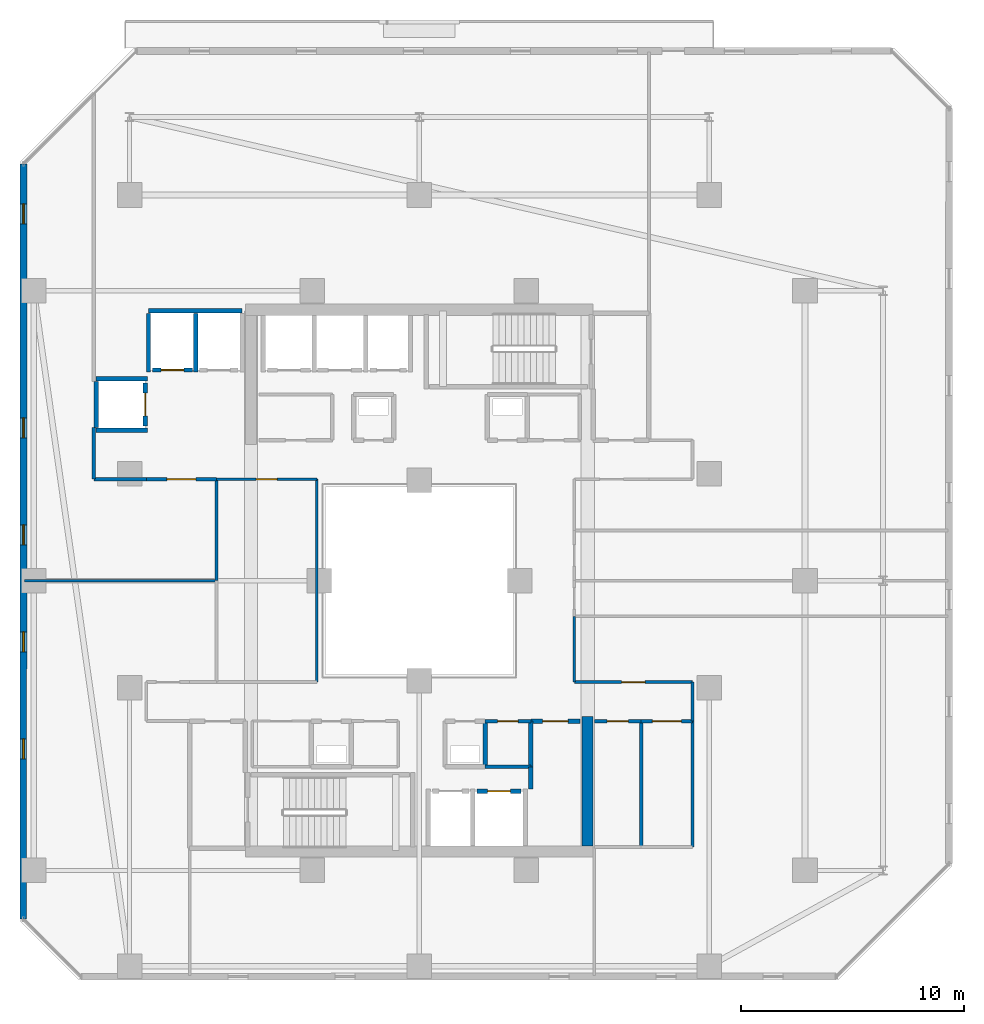
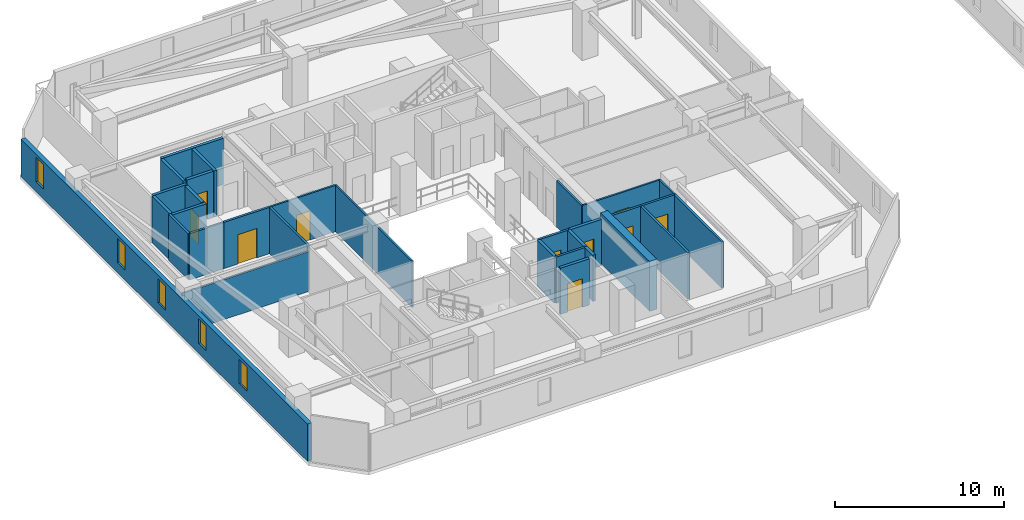
# One storey, part 20 of 33: 31 walls, 10 doors, 5 windows, 15 openings.
"""IFC4 building model written with IfcOpenShell, lengths in metres."""

from ifc_helpers import new_model, si_unit, direction, frame, frame_2d, origin, place, context, subcontext, project, spatial, rectangle, extrude, material, layer, layer_set, type_object, element, fill, save


model = new_model("IFC4")

# Units and contexts
model_context = context("Model", 3, precision=1e-05, world=origin(), true_north=direction((0.0, 1.0)))
body_context = subcontext(model_context, "Body", "Model", "MODEL_VIEW")
ifc_project = project(units=[si_unit("LENGTHUNIT", "METRE"), si_unit("AREAUNIT", "SQUARE_METRE"), si_unit("VOLUMEUNIT", "CUBIC_METRE"), si_unit("PLANEANGLEUNIT", "RADIAN"), si_unit("MASSUNIT", "GRAM", prefix="KILO")], contexts=[model_context])

# Site, building, storey
site_placement = place(None, origin())
site = spatial("IfcSite", under=ifc_project, at=site_placement, CompositionType="ELEMENT")
building_placement = place(site_placement, origin())
building = spatial("IfcBuilding", under=site, at=building_placement, Name="Thornwick Lancets Civic Towers", CompositionType="ELEMENT")
storey_placement = place(building_placement, frame((0.0, 0.0, 189.300048828125)))
storey = spatial("IfcBuildingStorey", under=building, at=storey_placement, Name="L50", CompositionType="ELEMENT", Elevation=189.300048828125)

# Wall, opening, door
ifc_material_1 = material(Name="Concrete blockwork C40/50", Category="masonry")
ifc_layer_1 = layer(ifc_material_1, 0.199951171875, Name="Concrete blockwork C40/50")
ifc_layer_set_1 = layer_set([ifc_layer_1], Name="Concrete blockwork C40/50")
wall_type_1 = type_object("IfcWallType", Name="WALL_COMP_200", PredefinedType="STANDARD", material=ifc_layer_set_1)
wall_1_placement = place(storey_placement, frame((28.080078125, 17.550048828125, 0.0), z_axis=(0.0, 0.0, 1.0), x_axis=(1.0, 0.0, 0.0)))
wall_1 = element("IfcWall", 1, at=wall_1_placement, inside=storey, type_object=wall_type_1, Name="L50 Hoistway Front Wall PL-AH1", PredefinedType="STANDARD", context=body_context, shape_type="SweptSolid", body=[
    extrude(rectangle(XDim=1.989990234375, YDim=0.199951171875, at=frame_2d((0.9951171875, 0.0))), origin(), (0.0, 0.0, 1.0), 3.33984375),
])
opening_1_placement = place(wall_1_placement, frame((0.485107421875, 0.0, 0.0)))
opening_1 = element("IfcOpeningElement", 2, at=opening_1_placement, cuts=wall_1, Name="Opening LD-PL-AH1", PredefinedType="OPENING", context=body_context, shape_type="SweptSolid", body=[
    extrude(rectangle(XDim=1.02001953125, YDim=2.06005859375, at=frame_2d((0.510009765625, 1.030029296875))), frame((0.0, 0.10986328125, 0.0), z_axis=(0.0, -1.0, 0.0), x_axis=(1.0, 0.0, 0.0)), (0.0, 0.0, 1.0), 0.219970703125),
])
ifc_material_2 = material(Name="Brushed bronze stainless steel", Category="steel")
door_type_1 = type_object("IfcDoorType", Name="DOOR_LIFT_SLIDE", OperationType="SLIDING_TO_LEFT", PredefinedType="DOOR", material=ifc_material_2)
door_1_placement = place(opening_1_placement, origin())
door_1 = element("IfcDoor", 3, at=door_1_placement, inside=storey, type_object=door_type_1, Name="L50 Sliding Lift Landing Door LD-PL-AH1", OperationType="SLIDING_TO_LEFT", OverallHeight=2.06005859375, OverallWidth=1.02001953125, PredefinedType="DOOR", context=body_context, shape_type="SweptSolid", body=[
    extrude(rectangle(XDim=1.02001953125, YDim=2.06005859375, at=frame_2d((0.510009765625, 1.030029296875))), frame((0.0, 0.02490234375, 0.0), z_axis=(0.0, -1.0, 0.0), x_axis=(1.0, 0.0, 0.0)), (0.0, 0.0, 1.0), 0.050048828125),
])
fill(opening_1, door_1)

wall_2_placement = place(storey_placement, frame((15.320068359375, 36.449951171875, 0.0), z_axis=(0.0, 0.0, 1.0), x_axis=(-1.0, 0.0, 0.0)))
wall_2 = element("IfcWall", 4, at=wall_2_placement, inside=storey, type_object=wall_type_1, Name="L50 Hoistway Front Wall PL-AM2", PredefinedType="STANDARD", context=body_context, shape_type="SweptSolid", body=[
    extrude(rectangle(XDim=1.7900390625, YDim=0.199951171875, at=frame_2d((0.89501953125, 0.0))), origin(), (0.0, 0.0, 1.0), 3.33984375),
])
opening_2_placement = place(wall_2_placement, frame((0.385009765625, 0.0, 0.0)))
opening_2 = element("IfcOpeningElement", 5, at=opening_2_placement, cuts=wall_2, Name="Opening LD-PL-AM2", PredefinedType="OPENING", context=body_context, shape_type="SweptSolid", body=[
    extrude(rectangle(XDim=1.02001953125, YDim=2.06005859375, at=frame_2d((0.510009765625, 1.030029296875))), frame((0.0, 0.10986328125, 0.0), z_axis=(0.0, -1.0, 0.0), x_axis=(1.0, 0.0, 0.0)), (0.0, 0.0, 1.0), 0.219970703125),
])
door_2_placement = place(opening_2_placement, origin())
door_2 = element("IfcDoor", 6, at=door_2_placement, inside=storey, type_object=door_type_1, Name="L50 Sliding Lift Landing Door LD-PL-AM2", OperationType="SLIDING_TO_LEFT", OverallHeight=2.06005859375, OverallWidth=1.02001953125, PredefinedType="DOOR", context=body_context, shape_type="SweptSolid", body=[
    extrude(rectangle(XDim=1.02001953125, YDim=2.06005859375, at=frame_2d((0.510009765625, 1.030029296875))), frame((0.0, 0.02490234375, 0.0), z_axis=(0.0, -1.0, 0.0), x_axis=(1.0, 0.0, 0.0)), (0.0, 0.0, 1.0), 0.050048828125),
])
fill(opening_2, door_2)

wall_3_placement = place(storey_placement, frame((13.199951171875, 33.929931640625, 0.0), z_axis=(0.0, 0.0, 1.0), x_axis=(0.0, 1.0, 0.0)))
wall_3 = element("IfcWall", 7, at=wall_3_placement, inside=storey, type_object=wall_type_1, Name="L50 Hoistway Front Wall PL-AM3", PredefinedType="STANDARD", context=body_context, shape_type="SweptSolid", body=[
    extrude(rectangle(XDim=1.940185546875, YDim=0.199951171875, at=frame_2d((0.97021484375, 0.0))), origin(), (0.0, 0.0, 1.0), 3.33984375),
])
opening_3_placement = place(wall_3_placement, frame((0.4599609375, 0.0, 0.0)))
opening_3 = element("IfcOpeningElement", 8, at=opening_3_placement, cuts=wall_3, Name="Opening LD-PL-AM3", PredefinedType="OPENING", context=body_context, shape_type="SweptSolid", body=[
    extrude(rectangle(XDim=1.02001953125, YDim=2.06005859375, at=frame_2d((0.510009765625, 1.030029296875))), frame((0.0, 0.10986328125, 0.0), z_axis=(0.0, -1.0, 0.0), x_axis=(1.0, 0.0, 0.0)), (0.0, 0.0, 1.0), 0.219970703125),
])
door_3_placement = place(opening_3_placement, origin())
door_3 = element("IfcDoor", 9, at=door_3_placement, inside=storey, type_object=door_type_1, Name="L50 Sliding Lift Landing Door LD-PL-AM3", OperationType="SLIDING_TO_LEFT", OverallHeight=2.06005859375, OverallWidth=1.02001953125, PredefinedType="DOOR", context=body_context, shape_type="SweptSolid", body=[
    extrude(rectangle(XDim=1.02001953125, YDim=2.06005859375, at=frame_2d((0.510009765625, 1.030029296875))), frame((0.0, 0.02490234375, 0.0), z_axis=(0.0, -1.0, 0.0), x_axis=(1.0, 0.0, 0.0)), (0.0, 0.0, 1.0), 0.050048828125),
])
fill(opening_3, door_3)

# Walls
wall_4_placement = place(storey_placement, frame((13.35205078125, 39.10009765625, 0.0), z_axis=(0.0, 0.0, 1.0), x_axis=(1.0, 0.0, 0.0)))
element("IfcWall", 10, at=wall_4_placement, inside=storey, type_object=wall_type_1, Name="L50 Hoistway Shaft Wall PL-AM1 N", PredefinedType="STANDARD", context=body_context, shape_type="SweptSolid", body=[
    extrude(rectangle(XDim=4.196044921875, YDim=0.199951171875, at=frame_2d((2.09814453125, 0.0))), origin(), (0.0, 0.0, 1.0), 3.33984375),
])
for number, where, z_axis, x_axis, name in (
    (11, (15.47509765625, 36.35205078125, 0.0), (0.0, 0.0, 1.0), (0.0, 1.0, 0.0), "L50 Hoistway Shaft Wall PL-AM1 W"),
    (12, (13.35009765625, 36.35205078125, 0.0), (0.0, 0.0, 1.0), (0.0, 1.0, 0.0), "L50 Hoistway Shaft Wall PL-AM2 W"),
):
    element("IfcWall", number, at=place(storey_placement, frame(where, z_axis=z_axis, x_axis=x_axis)), inside=storey, type_object=wall_type_1, Name=name, PredefinedType="STANDARD", context=body_context, shape_type="SweptSolid", body=[
        extrude(rectangle(XDim=2.635986328125, YDim=0.199951171875, at=frame_2d((1.31787109375, 0.0))), origin(), (0.0, 0.0, 1.0), 3.33984375),
    ])
for number, where, z_axis, x_axis, name in (
    (13, (11.001953125, 36.050048828125, 0.0), (0.0, 0.0, 1.0), (1.0, 0.0, 0.0), "L50 Hoistway Shaft Wall PL-AM3 N"),
    (14, (11.001953125, 33.75, 0.0), (0.0, 0.0, 1.0), (1.0, 0.0, 0.0), "L50 Hoistway Shaft Wall PL-AM3 S"),
):
    element("IfcWall", number, at=place(storey_placement, frame(where, z_axis=z_axis, x_axis=x_axis)), inside=storey, type_object=wall_type_1, Name=name, PredefinedType="STANDARD", context=body_context, shape_type="SweptSolid", body=[
        extrude(rectangle(XDim=2.296142578125, YDim=0.199951171875, at=frame_2d((1.14794921875, 0.0))), origin(), (0.0, 0.0, 1.0), 3.33984375),
    ])
wall_5_placement = place(storey_placement, frame((11.0, 33.862060546875, 0.0), z_axis=(0.0, 0.0, 1.0), x_axis=(0.0, 1.0, 0.0)))
element("IfcWall", 15, at=wall_5_placement, inside=storey, type_object=wall_type_1, Name="L50 Hoistway Shaft Wall PL-AM3 W", PredefinedType="STANDARD", context=body_context, shape_type="SweptSolid", body=[
    extrude(rectangle(XDim=2.075927734375, YDim=0.199951171875, at=frame_2d((1.0380859375, 0.0))), origin(), (0.0, 0.0, 1.0), 3.33984375),
])
wall_6_placement = place(storey_placement, frame((28.449951171875, 18.64990234375, 0.0), z_axis=(0.0, 0.0, 1.0), x_axis=(0.0, 1.0, 0.0)))
element("IfcWall", 16, at=wall_6_placement, inside=storey, type_object=wall_type_1, Name="L50 Partition L50-A-DUCT1 E2", PredefinedType="STANDARD", context=body_context, shape_type="SweptSolid", body=[
    extrude(rectangle(XDim=2.050048828125, YDim=0.199951171875, at=frame_2d((1.02490234375, 0.0))), origin(), (0.0, 0.0, 1.0), 3.33984375),
])
wall_7_placement = place(storey_placement, frame((30.5, 17.64794921875, 0.0), z_axis=(0.0, 0.0, 1.0), x_axis=(0.0, 1.0, 0.0)))
element("IfcWall", 17, at=wall_7_placement, inside=storey, type_object=wall_type_1, Name="L50 Partition L50-A-STR2 E3", PredefinedType="STANDARD", context=body_context, shape_type="SweptSolid", body=[
    extrude(rectangle(XDim=1.001953125, YDim=0.199951171875, at=frame_2d((0.5009765625, 0.0))), origin(), (0.0, 0.0, 1.0), 3.33984375),
])
wall_8_placement = place(storey_placement, frame((30.5, 18.64990234375, 0.0), z_axis=(0.0, 0.0, 1.0), x_axis=(0.0, 1.0, 0.0)))
element("IfcWall", 18, at=wall_8_placement, inside=storey, type_object=wall_type_1, Name="L50 Partition L50-A-STR2 E4", PredefinedType="STANDARD", context=body_context, shape_type="SweptSolid", body=[
    extrude(rectangle(XDim=2.050048828125, YDim=0.199951171875, at=frame_2d((1.02490234375, 0.0))), origin(), (0.0, 0.0, 1.0), 3.33984375),
])

# Wall, opening, door
wall_9_placement = place(storey_placement, frame((30.5, 20.699951171875, 0.0), z_axis=(0.0, 0.0, 1.0), x_axis=(1.0, 0.0, 0.0)))
wall_9 = element("IfcWall", 19, at=wall_9_placement, inside=storey, type_object=wall_type_1, Name="L50 Partition L50-A-STR2 E5", PredefinedType="STANDARD", context=body_context, shape_type="SweptSolid", body=[
    extrude(rectangle(XDim=2.199951171875, YDim=0.199951171875, at=frame_2d((1.10009765625, 0.0))), origin(), (0.0, 0.0, 1.0), 3.33984375),
])
opening_4_placement = place(wall_9_placement, frame((0.52490234375, 0.0, 0.0)))
opening_4 = element("IfcOpeningElement", 20, at=opening_4_placement, cuts=wall_9, Name="Opening D-L50-2214", PredefinedType="OPENING", context=body_context, shape_type="SweptSolid", body=[
    extrude(rectangle(XDim=1.14990234375, YDim=2.10009765625, at=frame_2d((0.574951171875, 1.050048828125))), frame((0.0, 0.10986328125, 0.0), z_axis=(0.0, -1.0, 0.0), x_axis=(1.0, 0.0, 0.0)), (0.0, 0.0, 1.0), 0.219970703125),
])
ifc_material_3 = material(Name="Glazed fire-resisting steel", Category="steel")
door_type_2 = type_object("IfcDoorType", Name="DOOR_LOBBY_FD60", OperationType="NOTDEFINED", PredefinedType="DOOR", material=ifc_material_3)
door_4_placement = place(opening_4_placement, origin())
door_4 = element("IfcDoor", 21, at=door_4_placement, inside=storey, type_object=door_type_2, Name="L50 Tower A Core Supplies Store Door", OperationType="SINGLE_SWING_LEFT", OverallHeight=2.10009765625, OverallWidth=1.14990234375, PredefinedType="DOOR", context=body_context, shape_type="SweptSolid", body=[
    extrude(rectangle(XDim=1.14990234375, YDim=2.10009765625, at=frame_2d((0.574951171875, 1.050048828125))), frame((0.0, 0.02490234375, 0.0), z_axis=(0.0, -1.0, 0.0), x_axis=(1.0, 0.0, 0.0)), (0.0, 0.0, 1.0), 0.050048828125),
])
fill(opening_4, door_4)

# Wall
ifc_material_4 = material(Name="Concrete C50/60", Category="concrete")
ifc_layer_2 = layer(ifc_material_4, 0.5, Name="Concrete C50/60")
ifc_layer_set_2 = layer_set([ifc_layer_2], Name="Concrete C50/60")
wall_type_2 = type_object("IfcWallType", Name="WALL_CORE_500", PredefinedType="SHEAR", material=ifc_layer_set_2)
wall_10_placement = place(storey_placement, frame((33.050048828125, 15.10009765625, 0.0), z_axis=(0.0, 0.0, 1.0), x_axis=(0.0, 1.0, 0.0)))
element("IfcWall", 22, at=wall_10_placement, inside=storey, type_object=wall_type_2, Name="L50 Split Core A1 Shear Wall E", PredefinedType="SHEAR", context=body_context, shape_type="SweptSolid", body=[
    extrude(rectangle(XDim=5.7998046875, YDim=0.5, at=frame_2d((2.89990234375, 0.0))), origin(), (0.0, 0.0, 1.0), 3.599853515625),
])

# Wall, openings, windows
ifc_material_5 = material(Name="Insulated russet terracotta rainscreen on concrete C40/50", Category="masonry")
ifc_layer_3 = layer(ifc_material_5, 0.300048828125, Name="Insulated russet terracotta rainscreen on concrete C40/50")
ifc_layer_set_3 = layer_set([ifc_layer_3], Name="Insulated russet terracotta rainscreen on concrete C40/50")
wall_type_3 = type_object("IfcWallType", Name="WALL_EXT_RUSSET_300", PredefinedType="STANDARD", material=ifc_layer_set_3)
wall_11_placement = place(storey_placement, frame((7.74365234375, 45.699462890625, 0.0), z_axis=(0.0, 0.0, 1.0), x_axis=(-0.000244999128, -0.999999969988, 0.0)))
wall_11 = element("IfcWall", 23, at=wall_11_placement, inside=storey, type_object=wall_type_3, Name="L50 Tower A Terracotta Facade Wall E6", PredefinedType="STANDARD", context=body_context, shape_type="SweptSolid", body=[
    extrude(rectangle(XDim=33.880859375, YDim=0.300048828125, at=frame_2d((16.9404296875, 0.0))), origin(), (0.0, 0.0, 1.0), 2.699951171875),
])
opening_5_placement = place(wall_11_placement, frame((1.800048828125, 0.0, 0.719970703125)))
opening_5 = element("IfcOpeningElement", 24, at=opening_5_placement, cuts=wall_11, Name="Opening WL-01", PredefinedType="OPENING", context=body_context, shape_type="SweptSolid", body=[
    extrude(rectangle(XDim=0.89990234375, YDim=1.75, at=frame_2d((0.449951171875, 0.875))), frame((0.0, 0.16015625, 0.0), z_axis=(0.0, -1.0, 0.0), x_axis=(1.0, 0.0, 0.0)), (0.0, 0.0, 1.0), 0.320068359375),
])
opening_6_placement = place(wall_11_placement, frame((11.39990234375, 0.0, 0.719970703125)))
opening_6 = element("IfcOpeningElement", 25, at=opening_6_placement, cuts=wall_11, Name="Opening WL-01", PredefinedType="OPENING", context=body_context, shape_type="SweptSolid", body=[
    extrude(rectangle(XDim=0.89990234375, YDim=1.75, at=frame_2d((0.449951171875, 0.875))), frame((0.0, 0.16015625, 0.0), z_axis=(0.0, -1.0, 0.0), x_axis=(1.0, 0.0, 0.0)), (0.0, 0.0, 1.0), 0.320068359375),
])
opening_7_placement = place(wall_11_placement, frame((16.199951171875, 0.0, 0.719970703125)))
opening_7 = element("IfcOpeningElement", 26, at=opening_7_placement, cuts=wall_11, Name="Opening WL-01", PredefinedType="OPENING", context=body_context, shape_type="SweptSolid", body=[
    extrude(rectangle(XDim=0.89990234375, YDim=1.75, at=frame_2d((0.449951171875, 0.875))), frame((0.0, 0.16015625, 0.0), z_axis=(0.0, -1.0, 0.0), x_axis=(1.0, 0.0, 0.0)), (0.0, 0.0, 1.0), 0.320068359375),
])
opening_8_placement = place(wall_11_placement, frame((21.0, 0.0, 0.719970703125)))
opening_8 = element("IfcOpeningElement", 27, at=opening_8_placement, cuts=wall_11, Name="Opening WL-01", PredefinedType="OPENING", context=body_context, shape_type="SweptSolid", body=[
    extrude(rectangle(XDim=0.89990234375, YDim=1.75, at=frame_2d((0.449951171875, 0.875))), frame((0.0, 0.16015625, 0.0), z_axis=(0.0, -1.0, 0.0), x_axis=(1.0, 0.0, 0.0)), (0.0, 0.0, 1.0), 0.320068359375),
])
opening_9_placement = place(wall_11_placement, frame((25.800048828125, 0.0, 0.719970703125)))
opening_9 = element("IfcOpeningElement", 28, at=opening_9_placement, cuts=wall_11, Name="Opening WL-01", PredefinedType="OPENING", context=body_context, shape_type="SweptSolid", body=[
    extrude(rectangle(XDim=0.89990234375, YDim=1.75, at=frame_2d((0.449951171875, 0.875))), frame((0.0, 0.16015625, 0.0), z_axis=(0.0, -1.0, 0.0), x_axis=(1.0, 0.0, 0.0)), (0.0, 0.0, 1.0), 0.320068359375),
])
ifc_material_6 = material(Name="Clear low-e double glazing in bronze frame", Category="glass")
window_type = type_object("IfcWindowType", Name="WIN_LANCET_900", PartitioningType="SINGLE_PANEL", PredefinedType="WINDOW", material=ifc_material_6)
window_1_placement = place(opening_5_placement, origin())
window_1 = element("IfcWindow", 29, at=window_1_placement, inside=storey, type_object=window_type, Name="L50 Tower A Staggered Lancet Window E6-1", OverallHeight=1.75, OverallWidth=0.89990234375, PartitioningType="SINGLE_PANEL", PredefinedType="WINDOW", context=body_context, shape_type="SweptSolid", body=[
    extrude(rectangle(XDim=0.89990234375, YDim=1.75, at=frame_2d((0.449951171875, 0.875))), frame((0.0, 0.030029296875, 0.0), z_axis=(0.0, -1.0, 0.0), x_axis=(1.0, 0.0, 0.0)), (0.0, 0.0, 1.0), 0.06005859375),
])
fill(opening_5, window_1)
window_2_placement = place(opening_6_placement, origin())
window_2 = element("IfcWindow", 30, at=window_2_placement, inside=storey, type_object=window_type, Name="L50 Tower A Staggered Lancet Window E6-2", OverallHeight=1.75, OverallWidth=0.89990234375, PartitioningType="SINGLE_PANEL", PredefinedType="WINDOW", context=body_context, shape_type="SweptSolid", body=[
    extrude(rectangle(XDim=0.89990234375, YDim=1.75, at=frame_2d((0.449951171875, 0.875))), frame((0.0, 0.030029296875, 0.0), z_axis=(0.0, -1.0, 0.0), x_axis=(1.0, 0.0, 0.0)), (0.0, 0.0, 1.0), 0.06005859375),
])
fill(opening_6, window_2)
window_3_placement = place(opening_7_placement, origin())
window_3 = element("IfcWindow", 31, at=window_3_placement, inside=storey, type_object=window_type, Name="L50 Tower A Staggered Lancet Window E6-3", OverallHeight=1.75, OverallWidth=0.89990234375, PartitioningType="SINGLE_PANEL", PredefinedType="WINDOW", context=body_context, shape_type="SweptSolid", body=[
    extrude(rectangle(XDim=0.89990234375, YDim=1.75, at=frame_2d((0.449951171875, 0.875))), frame((0.0, 0.030029296875, 0.0), z_axis=(0.0, -1.0, 0.0), x_axis=(1.0, 0.0, 0.0)), (0.0, 0.0, 1.0), 0.06005859375),
])
fill(opening_7, window_3)
window_4_placement = place(opening_8_placement, origin())
window_4 = element("IfcWindow", 32, at=window_4_placement, inside=storey, type_object=window_type, Name="L50 Tower A Staggered Lancet Window E6-4", OverallHeight=1.75, OverallWidth=0.89990234375, PartitioningType="SINGLE_PANEL", PredefinedType="WINDOW", context=body_context, shape_type="SweptSolid", body=[
    extrude(rectangle(XDim=0.89990234375, YDim=1.75, at=frame_2d((0.449951171875, 0.875))), frame((0.0, 0.030029296875, 0.0), z_axis=(0.0, -1.0, 0.0), x_axis=(1.0, 0.0, 0.0)), (0.0, 0.0, 1.0), 0.06005859375),
])
fill(opening_8, window_4)
window_5_placement = place(opening_9_placement, origin())
window_5 = element("IfcWindow", 33, at=window_5_placement, inside=storey, type_object=window_type, Name="L50 Tower A Staggered Lancet Window E6-5", OverallHeight=1.75, OverallWidth=0.89990234375, PartitioningType="SINGLE_PANEL", PredefinedType="WINDOW", context=body_context, shape_type="SweptSolid", body=[
    extrude(rectangle(XDim=0.89990234375, YDim=1.75, at=frame_2d((0.449951171875, 0.875))), frame((0.0, 0.030029296875, 0.0), z_axis=(0.0, -1.0, 0.0), x_axis=(1.0, 0.0, 0.0)), (0.0, 0.0, 1.0), 0.06005859375),
])
fill(opening_9, window_5)

# Wall
ifc_material_7 = material(Name="Acoustic gypsum board partition")
ifc_layer_4 = layer(ifc_material_7, 0.1201171875, Name="Acoustic gypsum board partition")
ifc_layer_set_4 = layer_set([ifc_layer_4], Name="Acoustic gypsum board partition")
wall_type_4 = type_object("IfcWallType", Name="WALL_PART_120", PredefinedType="PARTITIONING", material=ifc_layer_set_4)
wall_12_placement = place(storey_placement, frame((7.780029296875, 27.0, 0.0), z_axis=(0.0, 0.0, 1.0), x_axis=(1.0, 0.0, 0.0)))
element("IfcWall", 34, at=wall_12_placement, inside=storey, type_object=wall_type_4, Name="L50 Partition L50-A-W1 E2", PredefinedType="PARTITIONING", context=body_context, shape_type="SweptSolid", body=[
    extrude(rectangle(XDim=8.619873046875, YDim=0.1201171875, at=frame_2d((4.31005859375, 0.0))), origin(), (0.0, 0.0, 1.0), 2.877685546875),
])

# Wall, opening, door
wall_13_placement = place(storey_placement, frame((16.39990234375, 31.550048828125, 0.0), z_axis=(0.0, 0.0, 1.0), x_axis=(1.0, 0.0, 0.0)))
wall_13 = element("IfcWall", 35, at=wall_13_placement, inside=storey, type_object=wall_type_4, Name="L50 Partition L50-A-W3 E3", PredefinedType="PARTITIONING", context=body_context, shape_type="SweptSolid", body=[
    extrude(rectangle(XDim=4.5, YDim=0.1201171875, at=frame_2d((2.25, 0.0))), origin(), (0.0, 0.0, 1.0), 3.33984375),
])
opening_10_placement = place(wall_13_placement, frame((1.77490234375, 0.0, 0.0)))
opening_10 = element("IfcOpeningElement", 36, at=opening_10_placement, cuts=wall_13, Name="Opening D-L50-2233", PredefinedType="OPENING", context=body_context, shape_type="SweptSolid", body=[
    extrude(rectangle(XDim=0.949951171875, YDim=2.10009765625, at=frame_2d((0.47509765625, 1.050048828125))), frame((0.0, 0.070068359375, 0.0), z_axis=(0.0, -1.0, 0.0), x_axis=(1.0, 0.0, 0.0)), (0.0, 0.0, 1.0), 0.14013671875),
])
ifc_material_8 = material(Name="European oak acoustic doorset")
door_type_3 = type_object("IfcDoorType", Name="DOOR_OFFICE_950", OperationType="NOTDEFINED", PredefinedType="DOOR", material=ifc_material_8)
door_5_placement = place(opening_10_placement, origin())
door_5 = element("IfcDoor", 37, at=door_5_placement, inside=storey, type_object=door_type_3, Name="L50 Tower A West Atrium Reading Lounge Door", OperationType="SINGLE_SWING_RIGHT", OverallHeight=2.10009765625, OverallWidth=0.949951171875, PredefinedType="DOOR", context=body_context, shape_type="SweptSolid", body=[
    extrude(rectangle(XDim=0.949951171875, YDim=2.10009765625, at=frame_2d((0.47509765625, 1.050048828125))), frame((0.0, 0.02490234375, 0.0), z_axis=(0.0, -1.0, 0.0), x_axis=(1.0, 0.0, 0.0)), (0.0, 0.0, 1.0), 0.050048828125),
])
fill(opening_10, door_5)

# Walls
wall_14_placement = place(storey_placement, frame((20.89990234375, 31.550048828125, 0.0), z_axis=(0.0, 0.0, 1.0), x_axis=(0.0, -1.0, 0.0)))
element("IfcWall", 38, at=wall_14_placement, inside=storey, type_object=wall_type_4, Name="L50 Partition L50-A-W3 E4", PredefinedType="PARTITIONING", context=body_context, shape_type="SweptSolid", body=[
    extrude(rectangle(XDim=9.10009765625, YDim=0.1201171875, at=frame_2d((4.550048828125, 0.0))), origin(), (0.0, 0.0, 1.0), 3.33984375),
])
wall_15_placement = place(storey_placement, frame((37.75, 20.699951171875, 0.0), z_axis=(0.0, 0.0, 1.0), x_axis=(0.0, 1.0, 0.0)))
element("IfcWall", 39, at=wall_15_placement, inside=storey, type_object=wall_type_4, Name="L50 Partition L50-A-E1 E4", PredefinedType="PARTITIONING", context=body_context, shape_type="SweptSolid", body=[
    extrude(rectangle(XDim=1.75, YDim=0.1201171875, at=frame_2d((0.875, 0.0))), origin(), (0.0, 0.0, 1.0), 3.33984375),
])

# Wall, opening, door
wall_16_placement = place(storey_placement, frame((37.75, 22.449951171875, 0.0), z_axis=(0.0, 0.0, 1.0), x_axis=(-1.0, 0.0, 0.0)))
wall_16 = element("IfcWall", 40, at=wall_16_placement, inside=storey, type_object=wall_type_4, Name="L50 Partition L50-A-E1 E5", PredefinedType="PARTITIONING", context=body_context, shape_type="SweptSolid", body=[
    extrude(rectangle(XDim=5.300048828125, YDim=0.1201171875, at=frame_2d((2.64990234375, 0.0))), origin(), (0.0, 0.0, 1.0), 3.33984375),
])
opening_11_placement = place(wall_16_placement, frame((2.125, 0.0, 0.0)))
opening_11 = element("IfcOpeningElement", 41, at=opening_11_placement, cuts=wall_16, Name="Opening D-L50-2234", PredefinedType="OPENING", context=body_context, shape_type="SweptSolid", body=[
    extrude(rectangle(XDim=1.050048828125, YDim=2.10009765625, at=frame_2d((0.52490234375, 1.050048828125))), frame((0.0, 0.070068359375, 0.0), z_axis=(0.0, -1.0, 0.0), x_axis=(1.0, 0.0, 0.0)), (0.0, 0.0, 1.0), 0.14013671875),
])
ifc_material_9 = material(Name="Glazed European oak executive doorset")
door_type_4 = type_object("IfcDoorType", Name="DOOR_OFFICE_1050", OperationType="NOTDEFINED", PredefinedType="DOOR", material=ifc_material_9)
door_6_placement = place(opening_11_placement, origin())
door_6 = element("IfcDoor", 42, at=door_6_placement, inside=storey, type_object=door_type_4, Name="L50 Tower A Secretariat Open Office E1 Door", OperationType="SINGLE_SWING_LEFT", OverallHeight=2.10009765625, OverallWidth=1.050048828125, PredefinedType="DOOR", context=body_context, shape_type="SweptSolid", body=[
    extrude(rectangle(XDim=1.050048828125, YDim=2.10009765625, at=frame_2d((0.52490234375, 1.050048828125))), frame((0.0, 0.02490234375, 0.0), z_axis=(0.0, -1.0, 0.0), x_axis=(1.0, 0.0, 0.0)), (0.0, 0.0, 1.0), 0.050048828125),
])
fill(opening_11, door_6)

# Walls
wall_17_placement = place(storey_placement, frame((32.449951171875, 22.449951171875, 0.0), z_axis=(0.0, 0.0, 1.0), x_axis=(0.0, 1.0, 0.0)))
element("IfcWall", 43, at=wall_17_placement, inside=storey, type_object=wall_type_4, Name="L50 Partition L50-A-E1 E6", PredefinedType="PARTITIONING", context=body_context, shape_type="SweptSolid", body=[
    extrude(rectangle(XDim=2.949951171875, YDim=0.1201171875, at=frame_2d((1.47509765625, 0.0))), origin(), (0.0, 0.0, 1.0), 3.33984375),
])
ifc_material_10 = material(Name="Twin-stud acoustic gypsum board")
ifc_layer_5 = layer(ifc_material_10, 0.14990234375, Name="Twin-stud acoustic gypsum board")
ifc_layer_set_5 = layer_set([ifc_layer_5], Name="Twin-stud acoustic gypsum board")
wall_type_5 = type_object("IfcWallType", Name="WALL_PART_150", PredefinedType="PARTITIONING", material=ifc_layer_set_5)
wall_18_placement = place(storey_placement, frame((30.5, 18.64990234375, 0.0), z_axis=(0.0, 0.0, 1.0), x_axis=(-1.0, 0.0, 0.0)))
element("IfcWall", 44, at=wall_18_placement, inside=storey, type_object=wall_type_5, Name="L50 Partition L50-A-AWC E2", PredefinedType="PARTITIONING", context=body_context, shape_type="SweptSolid", body=[
    extrude(rectangle(XDim=2.050048828125, YDim=0.14990234375, at=frame_2d((1.02490234375, 0.0))), origin(), (0.0, 0.0, 1.0), 3.33984375),
])

# Wall, opening, door
wall_19_placement = place(storey_placement, frame((28.449951171875, 20.699951171875, 0.0), z_axis=(0.0, 0.0, 1.0), x_axis=(1.0, 0.0, 0.0)))
wall_19 = element("IfcWall", 45, at=wall_19_placement, inside=storey, type_object=wall_type_5, Name="L50 Partition L50-A-AWC E4", PredefinedType="PARTITIONING", context=body_context, shape_type="SweptSolid", body=[
    extrude(rectangle(XDim=2.050048828125, YDim=0.14990234375, at=frame_2d((1.02490234375, 0.0))), origin(), (0.0, 0.0, 1.0), 3.33984375),
])
opening_12_placement = place(wall_19_placement, frame((0.56494140625, 0.0, 0.0)))
opening_12 = element("IfcOpeningElement", 46, at=opening_12_placement, cuts=wall_19, Name="Opening D-L50-2213", PredefinedType="OPENING", context=body_context, shape_type="SweptSolid", body=[
    extrude(rectangle(XDim=0.919921875, YDim=2.080078125, at=frame_2d((0.4599609375, 1.0400390625))), frame((0.0, 0.0849609375, 0.0), z_axis=(0.0, -1.0, 0.0), x_axis=(1.0, 0.0, 0.0)), (0.0, 0.0, 1.0), 0.169921875),
])
ifc_material_11 = material(Name="Moisture-resistant oak doorset")
door_type_5 = type_object("IfcDoorType", Name="DOOR_WC_900", OperationType="NOTDEFINED", PredefinedType="DOOR", material=ifc_material_11)
door_7_placement = place(opening_12_placement, origin())
door_7 = element("IfcDoor", 47, at=door_7_placement, inside=storey, type_object=door_type_5, Name="L50 Tower A Accessible WC Door", OperationType="SINGLE_SWING_RIGHT", OverallHeight=2.080078125, OverallWidth=0.919921875, PredefinedType="DOOR", context=body_context, shape_type="SweptSolid", body=[
    extrude(rectangle(XDim=0.919921875, YDim=2.080078125, at=frame_2d((0.4599609375, 1.0400390625))), frame((0.0, 0.02490234375, 0.0), z_axis=(0.0, -1.0, 0.0), x_axis=(1.0, 0.0, 0.0)), (0.0, 0.0, 1.0), 0.050048828125),
])
fill(opening_12, door_7)

wall_20_placement = place(storey_placement, frame((33.35009765625, 20.699951171875, 0.0), z_axis=(0.0, 0.0, 1.0), x_axis=(1.0, 0.0, 0.0)))
wall_20 = element("IfcWall", 48, at=wall_20_placement, inside=storey, type_object=wall_type_5, Name="L50 Partition L50-A-RECLAIM-L1 E3", PredefinedType="PARTITIONING", context=body_context, shape_type="SweptSolid", body=[
    extrude(rectangle(XDim=2.099853515625, YDim=0.14990234375, at=frame_2d((1.0498046875, 0.0))), origin(), (0.0, 0.0, 1.0), 3.33984375),
])
opening_13_placement = place(wall_20_placement, frame((0.574951171875, 0.0, 0.0)))
opening_13 = element("IfcOpeningElement", 49, at=opening_13_placement, cuts=wall_20, Name="Opening D-L50-2229", PredefinedType="OPENING", context=body_context, shape_type="SweptSolid", body=[
    extrude(rectangle(XDim=0.949951171875, YDim=2.10009765625, at=frame_2d((0.47509765625, 1.050048828125))), frame((0.0, 0.0849609375, 0.0), z_axis=(0.0, -1.0, 0.0), x_axis=(1.0, 0.0, 0.0)), (0.0, 0.0, 1.0), 0.169921875),
])
door_8_placement = place(opening_13_placement, origin())
door_8 = element("IfcDoor", 50, at=door_8_placement, inside=storey, type_object=door_type_3, Name="L50 Tower A Policy Archive Door", OperationType="SINGLE_SWING_RIGHT", OverallHeight=2.10009765625, OverallWidth=0.949951171875, PredefinedType="DOOR", context=body_context, shape_type="SweptSolid", body=[
    extrude(rectangle(XDim=0.949951171875, YDim=2.10009765625, at=frame_2d((0.47509765625, 1.050048828125))), frame((0.0, 0.02490234375, 0.0), z_axis=(0.0, -1.0, 0.0), x_axis=(1.0, 0.0, 0.0)), (0.0, 0.0, 1.0), 0.050048828125),
])
fill(opening_13, door_8)

# Wall
wall_21_placement = place(storey_placement, frame((35.449951171875, 20.699951171875, 0.0), z_axis=(0.0, 0.0, 1.0), x_axis=(0.0, -1.0, 0.0)))
element("IfcWall", 51, at=wall_21_placement, inside=storey, type_object=wall_type_5, Name="L50 Partition L50-A-RECLAIM-L1 E4", PredefinedType="PARTITIONING", context=body_context, shape_type="SweptSolid", body=[
    extrude(rectangle(XDim=5.64990234375, YDim=0.14990234375, at=frame_2d((2.824951171875, 0.0))), origin(), (0.0, 0.0, 1.0), 3.33984375),
])

# Wall, opening, door
wall_22_placement = place(storey_placement, frame((35.449951171875, 20.699951171875, 0.0), z_axis=(0.0, 0.0, 1.0), x_axis=(1.0, 0.0, 0.0)))
wall_22 = element("IfcWall", 52, at=wall_22_placement, inside=storey, type_object=wall_type_5, Name="L50 Partition L50-A-RECLAIM-L2 E3", PredefinedType="PARTITIONING", context=body_context, shape_type="SweptSolid", body=[
    extrude(rectangle(XDim=2.300048828125, YDim=0.14990234375, at=frame_2d((1.14990234375, 0.0))), origin(), (0.0, 0.0, 1.0), 3.33984375),
])
opening_14_placement = place(wall_22_placement, frame((0.5, 0.0, 0.0)))
opening_14 = element("IfcOpeningElement", 53, at=opening_14_placement, cuts=wall_22, Name="Opening D-L50-2230", PredefinedType="OPENING", context=body_context, shape_type="SweptSolid", body=[
    extrude(rectangle(XDim=1.300048828125, YDim=2.1201171875, at=frame_2d((0.64990234375, 1.06005859375))), frame((0.0, 0.0849609375, 0.0), z_axis=(0.0, -1.0, 0.0), x_axis=(1.0, 0.0, 0.0)), (0.0, 0.0, 1.0), 0.169921875),
])
ifc_material_12 = material(Name="Acoustic oak leaf-and-a-half doorset")
door_type_6 = type_object("IfcDoorType", Name="DOOR_MEET_1300", OperationType="DOUBLE_DOOR_SINGLE_SWING", PredefinedType="DOOR", material=ifc_material_12)
door_9_placement = place(opening_14_placement, origin())
door_9 = element("IfcDoor", 54, at=door_9_placement, inside=storey, type_object=door_type_6, Name="L50 Tower A Ministerial Consultation Room Door", OperationType="DOUBLE_DOOR_SINGLE_SWING", OverallHeight=2.1201171875, OverallWidth=1.300048828125, PredefinedType="DOOR", context=body_context, shape_type="SweptSolid", body=[
    extrude(rectangle(XDim=1.300048828125, YDim=2.1201171875, at=frame_2d((0.64990234375, 1.06005859375))), frame((0.0, 0.02490234375, 0.0), z_axis=(0.0, -1.0, 0.0), x_axis=(1.0, 0.0, 0.0)), (0.0, 0.0, 1.0), 0.050048828125),
])
fill(opening_14, door_9)

# Wall
wall_23_placement = place(storey_placement, frame((37.75, 20.699951171875, 0.0), z_axis=(0.0, 0.0, 1.0), x_axis=(0.0, -1.0, 0.0)))
element("IfcWall", 55, at=wall_23_placement, inside=storey, type_object=wall_type_5, Name="L50 Partition L50-A-RECLAIM-L2 E4", PredefinedType="PARTITIONING", context=body_context, shape_type="SweptSolid", body=[
    extrude(rectangle(XDim=5.64990234375, YDim=0.14990234375, at=frame_2d((2.824951171875, 0.0))), origin(), (0.0, 0.0, 1.0), 3.33984375),
])

# Wall, opening, door
wall_24_placement = place(storey_placement, frame((13.25, 31.550048828125, 0.0), z_axis=(0.0, 0.0, 1.0), x_axis=(1.0, 0.0, 0.0)))
wall_24 = element("IfcWall", 56, at=wall_24_placement, inside=storey, type_object=wall_type_5, Name="L50 Partition L50-A-W2 E1", PredefinedType="PARTITIONING", context=body_context, shape_type="SweptSolid", body=[
    extrude(rectangle(XDim=3.14990234375, YDim=0.14990234375, at=frame_2d((1.574951171875, 0.0))), origin(), (0.0, 0.0, 1.0), 3.33984375),
])
opening_15_placement = place(wall_24_placement, frame((0.925048828125, 0.0, 0.0)))
opening_15 = element("IfcOpeningElement", 57, at=opening_15_placement, cuts=wall_24, Name="Opening D-L50-2232", PredefinedType="OPENING", context=body_context, shape_type="SweptSolid", body=[
    extrude(rectangle(XDim=1.300048828125, YDim=2.1201171875, at=frame_2d((0.64990234375, 1.06005859375))), frame((0.0, 0.0849609375, 0.0), z_axis=(0.0, -1.0, 0.0), x_axis=(1.0, 0.0, 0.0)), (0.0, 0.0, 1.0), 0.169921875),
])
door_10_placement = place(opening_15_placement, origin())
door_10 = element("IfcDoor", 58, at=door_10_placement, inside=storey, type_object=door_type_6, Name="L50 Tower A Policy Briefing Room W2 Door", OperationType="DOUBLE_DOOR_SINGLE_SWING", OverallHeight=2.1201171875, OverallWidth=1.300048828125, PredefinedType="DOOR", context=body_context, shape_type="SweptSolid", body=[
    extrude(rectangle(XDim=1.300048828125, YDim=2.1201171875, at=frame_2d((0.64990234375, 1.06005859375))), frame((0.0, 0.02490234375, 0.0), z_axis=(0.0, -1.0, 0.0), x_axis=(1.0, 0.0, 0.0)), (0.0, 0.0, 1.0), 0.050048828125),
])
fill(opening_15, door_10)

# Walls
wall_25_placement = place(storey_placement, frame((16.39990234375, 31.550048828125, 0.0), z_axis=(0.0, 0.0, 1.0), x_axis=(0.0, -1.0, 0.0)))
element("IfcWall", 59, at=wall_25_placement, inside=storey, type_object=wall_type_5, Name="L50 Partition L50-A-W2 E2", PredefinedType="PARTITIONING", context=body_context, shape_type="SweptSolid", body=[
    extrude(rectangle(XDim=4.550048828125, YDim=0.14990234375, at=frame_2d((2.27490234375, 0.0))), origin(), (0.0, 0.0, 1.0), 3.33984375),
])
wall_26_placement = place(storey_placement, frame((10.89990234375, 33.862060546875, 0.0), z_axis=(0.0, 0.0, 1.0), x_axis=(0.0, -1.0, 0.0)))
element("IfcWall", 60, at=wall_26_placement, inside=storey, type_object=wall_type_5, Name="L50 Partition L50-A-W2 E6", PredefinedType="PARTITIONING", context=body_context, shape_type="SweptSolid", body=[
    extrude(rectangle(XDim=2.31201171875, YDim=0.14990234375, at=frame_2d((1.156005859375, 0.0))), origin(), (0.0, 0.0, 1.0), 3.33984375),
])
wall_27_placement = place(storey_placement, frame((10.89990234375, 31.550048828125, 0.0), z_axis=(0.0, 0.0, 1.0), x_axis=(1.0, 0.0, 0.0)))
element("IfcWall", 61, at=wall_27_placement, inside=storey, type_object=wall_type_5, Name="L50 Partition L50-A-W2 E7", PredefinedType="PARTITIONING", context=body_context, shape_type="SweptSolid", body=[
    extrude(rectangle(XDim=2.35009765625, YDim=0.14990234375, at=frame_2d((1.175048828125, 0.0))), origin(), (0.0, 0.0, 1.0), 3.33984375),
])

save(model, "model.ifc")
